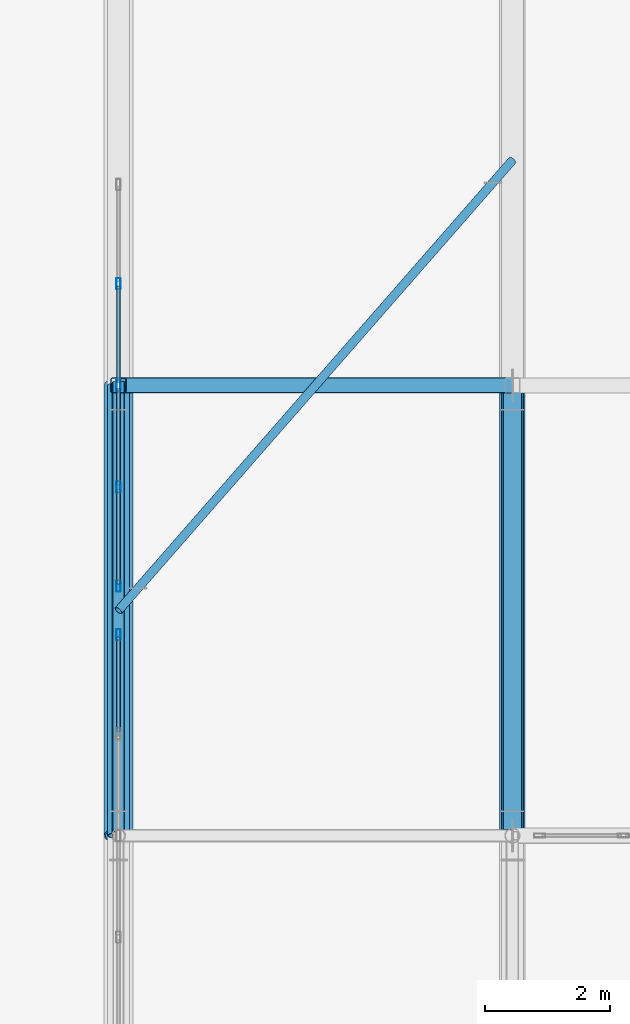
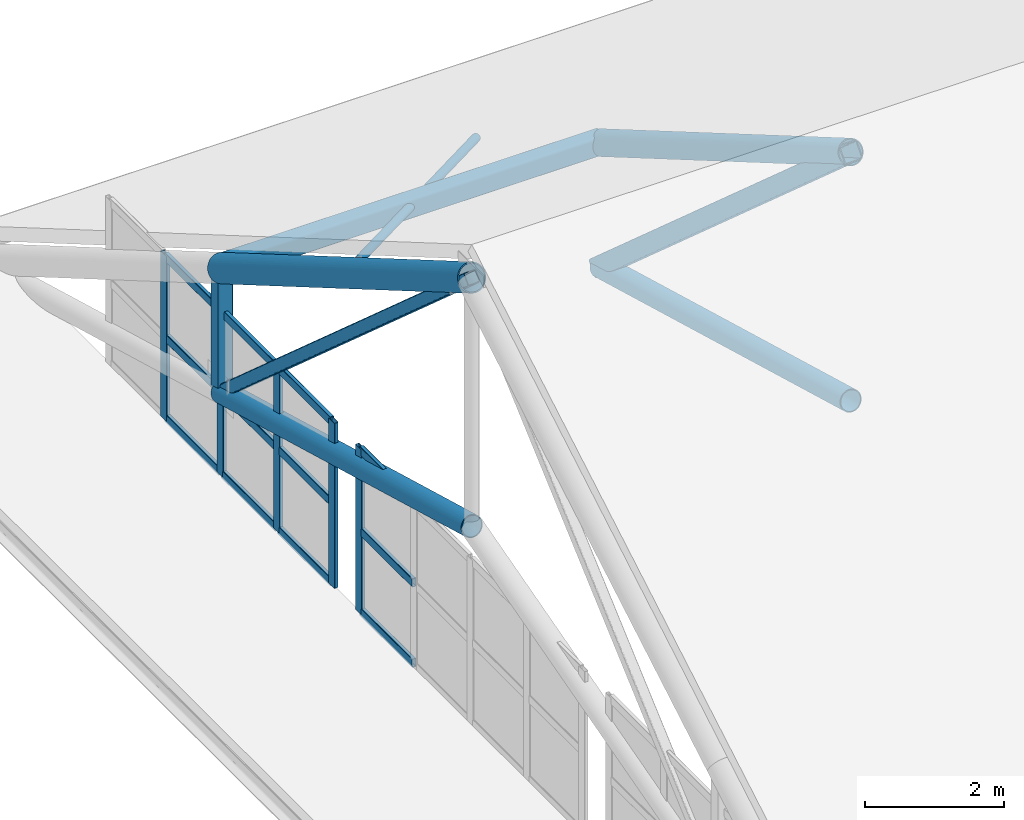
# One storey, part 7 of 54: 26 members, 2 elements without a shape of their own.
"""IFC4 building model written with IfcOpenShell, lengths in metres."""

from ifc_helpers import new_model, si_unit, direction, frame, origin, origin_2d, place, context, subcontext, project, spatial, hollow_rectangle, hollow_circle, extrude, material, layer, layer_set, material_profile, profile_set, type_object, element, aggregate, save


model = new_model("IFC4")

# Units and contexts
model_context = context("Model", 3, precision=1e-05, world=origin(), true_north=direction((0.0, 1.0)))
body_context = subcontext(model_context, "Body", "Model", "MODEL_VIEW")
ifc_project = project(units=[si_unit("LENGTHUNIT", "METRE"), si_unit("AREAUNIT", "SQUARE_METRE"), si_unit("VOLUMEUNIT", "CUBIC_METRE"), si_unit("PLANEANGLEUNIT", "RADIAN"), si_unit("MASSUNIT", "GRAM", prefix="KILO")], contexts=[model_context])

# Site, building, storey
site_placement = place(None, origin())
site = spatial("IfcSite", under=ifc_project, at=site_placement, CompositionType="ELEMENT")
building_placement = place(site_placement, origin())
building = spatial("IfcBuilding", under=site, at=building_placement, Name="Zulmaris Art Gallery", CompositionType="ELEMENT")
storey_placement = place(building_placement, frame((0.0, 0.0, 26.39990234375)))
storey = spatial("IfcBuildingStorey", under=building, at=storey_placement, Name="L05", CompositionType="ELEMENT", Elevation=26.39990234375)

# Curtain wall, member
ifc_material_1 = material(Name="Pitched Roof North-Light Clerestory Wall", Category="aluminium")
ifc_layer = layer(ifc_material_1, 0.179931640625)
ifc_layer_set = layer_set([ifc_layer], Name="Pitched Roof North-Light Clerestory Wall")
curtain_wall_type = type_object("IfcCurtainWallType", Name="CW-CW05", PredefinedType="NOTDEFINED", material=ifc_layer_set)
curtain_wall_1_placement = place(storey_placement, origin())
curtain_wall_1 = element("IfcCurtainWall", 1, at=curtain_wall_1_placement, inside=storey, type_object=curtain_wall_type, Name="L05 curtain wall 39", PredefinedType="NOTDEFINED")
ifc_material_2 = material(Name="Anodised Bronze Aluminium", Category="aluminium")
ifc_material_profile_1 = material_profile(ifc_material_2, hollow_rectangle(XDim=0.06494140625, YDim=0.179931640625, WallThickness=0.00390625, InnerFilletRadius=0.006103515625, OuterFilletRadius=0.010009765625, at=origin_2d()), Name="ALU 65x180x4")
ifc_profile_set_1 = profile_set([ifc_material_profile_1], Name="Anodised Bronze Aluminium")
member_type_1 = type_object("IfcMemberType", Name="CWMUL-01", PredefinedType="MULLION", material=ifc_profile_set_1)
member_1_placement = place(storey_placement, frame((11.39990234375, 39.21240234375, 0.0), z_axis=(0.0, 0.0, 1.0), x_axis=(-1.0, 0.0, 0.0)))
member_1 = element("IfcMember", 2, at=member_1_placement, type_object=member_type_1, Name="CW05 mullion 5", PredefinedType="MULLION", context=body_context, shape_type="SweptSolid", body=[
    extrude(hollow_rectangle(XDim=0.06494140625, YDim=0.179931640625, WallThickness=0.00390625, InnerFilletRadius=0.006103515625, OuterFilletRadius=0.010009765625, at=origin_2d()), origin(), (0.0, 0.0, 1.0), 2.900146484375),
])

# Curtain wall, members
curtain_wall_2_placement = place(storey_placement, origin())
curtain_wall_2 = element("IfcCurtainWall", 3, at=curtain_wall_2_placement, inside=storey, type_object=curtain_wall_type, Name="L05 curtain wall 40", PredefinedType="NOTDEFINED")
member_2_placement = place(storey_placement, frame((11.39990234375, 39.987548828125, 0.0), z_axis=(0.0, 0.0, 1.0), x_axis=(-1.0, 0.0, 0.0)))
member_2 = element("IfcMember", 4, at=member_2_placement, type_object=member_type_1, Name="CW05 mullion 1", PredefinedType="MULLION", context=body_context, shape_type="SweptSolid", body=[
    extrude(hollow_rectangle(XDim=0.06494140625, YDim=0.179931640625, WallThickness=0.00390625, InnerFilletRadius=0.006103515625, OuterFilletRadius=0.010009765625, at=origin_2d()), origin(), (0.0, 0.0, 1.0), 2.900146484375),
])
member_3_placement = place(storey_placement, frame((11.39990234375, 41.574951171875, 0.0), z_axis=(0.0, 0.0, 1.0), x_axis=(-1.0, 0.0, 0.0)))
member_3 = element("IfcMember", 5, at=member_3_placement, type_object=member_type_1, Name="CW05 mullion 2", PredefinedType="MULLION", context=body_context, shape_type="SweptSolid", body=[
    extrude(hollow_rectangle(XDim=0.06494140625, YDim=0.179931640625, WallThickness=0.00390625, InnerFilletRadius=0.006103515625, OuterFilletRadius=0.010009765625, at=origin_2d()), origin(), (0.0, 0.0, 1.0), 2.900146484375),
])
member_4_placement = place(storey_placement, frame((11.39990234375, 43.199951171875, 0.0), z_axis=(0.0, 0.0, 1.0), x_axis=(-1.0, 0.0, 0.0)))
member_4 = element("IfcMember", 6, at=member_4_placement, type_object=member_type_1, Name="CW05 mullion 3", PredefinedType="MULLION", context=body_context, shape_type="SweptSolid", body=[
    extrude(hollow_rectangle(XDim=0.06494140625, YDim=0.179931640625, WallThickness=0.00390625, InnerFilletRadius=0.006103515625, OuterFilletRadius=0.010009765625, at=origin_2d()), origin(), (0.0, 0.0, 1.0), 2.900146484375),
])
member_5_placement = place(storey_placement, frame((11.39990234375, 44.824951171875, 0.0), z_axis=(0.0, 0.0, 1.0), x_axis=(-1.0, 0.0, 0.0)))
member_5 = element("IfcMember", 7, at=member_5_placement, type_object=member_type_1, Name="CW05 mullion 4", PredefinedType="MULLION", context=body_context, shape_type="SweptSolid", body=[
    extrude(hollow_rectangle(XDim=0.06494140625, YDim=0.179931640625, WallThickness=0.00390625, InnerFilletRadius=0.006103515625, OuterFilletRadius=0.010009765625, at=origin_2d()), origin(), (0.0, 0.0, 1.0), 2.900146484375),
])

# Member
ifc_material_profile_2 = material_profile(ifc_material_2, hollow_rectangle(XDim=0.06494140625, YDim=0.14990234375, WallThickness=0.00390625, InnerFilletRadius=0.006103515625, OuterFilletRadius=0.010009765625, at=origin_2d()), Name="ALU 65x150x4")
ifc_profile_set_2 = profile_set([ifc_material_profile_2], Name="Anodised Bronze Aluminium")
member_type_2 = type_object("IfcMemberType", Name="CWTRN-01", PredefinedType="USERDEFINED", material=ifc_profile_set_2)
member_6_placement = place(storey_placement, frame((11.39990234375, 37.66259765625, 0.03759765625), z_axis=(0.0, 1.0, 0.0), x_axis=(-1.0, 0.0, 0.0)))
member_6 = element("IfcMember", 8, at=member_6_placement, type_object=member_type_2, Name="CW05 transom 4.1", ObjectType="TRANSOM", PredefinedType="USERDEFINED", context=body_context, shape_type="SweptSolid", body=[
    extrude(hollow_rectangle(XDim=0.06494140625, YDim=0.14990234375, WallThickness=0.00390625, InnerFilletRadius=0.006103515625, OuterFilletRadius=0.010009765625, at=origin_2d()), origin(), (0.0, 0.0, 1.0), 1.512451171875),
])

member_7_placement = place(storey_placement, frame((11.39990234375, 37.66259765625, 1.4501953125), z_axis=(0.0, 1.0, 0.0), x_axis=(-1.0, 0.0, 0.0)))
member_7 = element("IfcMember", 9, at=member_7_placement, type_object=member_type_2, Name="CW05 transom 4.2", ObjectType="TRANSOM", PredefinedType="USERDEFINED", context=body_context, shape_type="SweptSolid", body=[
    extrude(hollow_rectangle(XDim=0.06494140625, YDim=0.14990234375, WallThickness=0.00390625, InnerFilletRadius=0.006103515625, OuterFilletRadius=0.010009765625, at=origin_2d()), origin(), (0.0, 0.0, 1.0), 1.512451171875),
])

member_8_placement = place(storey_placement, frame((11.39990234375, 37.66259765625, 2.862548828125), z_axis=(0.0, 1.0, 0.0), x_axis=(-1.0, 0.0, 0.0)))
member_8 = element("IfcMember", 10, at=member_8_placement, type_object=member_type_2, Name="CW05 transom 4.3", ObjectType="TRANSOM", PredefinedType="USERDEFINED", context=body_context, shape_type="SweptSolid", body=[
    extrude(hollow_rectangle(XDim=0.06494140625, YDim=0.14990234375, WallThickness=0.00390625, InnerFilletRadius=0.006103515625, OuterFilletRadius=0.010009765625, at=origin_2d()), origin(), (0.0, 0.0, 1.0), 1.512451171875),
])

aggregate(curtain_wall_1, [member_1, member_6, member_7, member_8])

member_9_placement = place(storey_placement, frame((11.39990234375, 40.02490234375, 0.03759765625), z_axis=(0.0, 1.0, 0.0), x_axis=(-1.0, 0.0, 0.0)))
member_9 = element("IfcMember", 11, at=member_9_placement, type_object=member_type_2, Name="CW05 transom 1.1", ObjectType="TRANSOM", PredefinedType="USERDEFINED", context=body_context, shape_type="SweptSolid", body=[
    extrude(hollow_rectangle(XDim=0.06494140625, YDim=0.14990234375, WallThickness=0.00390625, InnerFilletRadius=0.006103515625, OuterFilletRadius=0.010009765625, at=origin_2d()), origin(), (0.0, 0.0, 1.0), 1.5126953125),
])

member_10_placement = place(storey_placement, frame((11.39990234375, 40.02490234375, 1.4501953125), z_axis=(0.0, 1.0, 0.0), x_axis=(-1.0, 0.0, 0.0)))
member_10 = element("IfcMember", 12, at=member_10_placement, type_object=member_type_2, Name="CW05 transom 1.2", ObjectType="TRANSOM", PredefinedType="USERDEFINED", context=body_context, shape_type="SweptSolid", body=[
    extrude(hollow_rectangle(XDim=0.06494140625, YDim=0.14990234375, WallThickness=0.00390625, InnerFilletRadius=0.006103515625, OuterFilletRadius=0.010009765625, at=origin_2d()), origin(), (0.0, 0.0, 1.0), 1.5126953125),
])

member_11_placement = place(storey_placement, frame((11.39990234375, 40.02490234375, 2.862548828125), z_axis=(0.0, 1.0, 0.0), x_axis=(-1.0, 0.0, 0.0)))
member_11 = element("IfcMember", 13, at=member_11_placement, type_object=member_type_2, Name="CW05 transom 1.3", ObjectType="TRANSOM", PredefinedType="USERDEFINED", context=body_context, shape_type="SweptSolid", body=[
    extrude(hollow_rectangle(XDim=0.06494140625, YDim=0.14990234375, WallThickness=0.00390625, InnerFilletRadius=0.006103515625, OuterFilletRadius=0.010009765625, at=origin_2d()), origin(), (0.0, 0.0, 1.0), 1.5126953125),
])

member_12_placement = place(storey_placement, frame((11.39990234375, 41.612548828125, 0.03759765625), z_axis=(0.0, 1.0, 0.0), x_axis=(-1.0, 0.0, 0.0)))
member_12 = element("IfcMember", 14, at=member_12_placement, type_object=member_type_2, Name="CW05 transom 2.1", ObjectType="TRANSOM", PredefinedType="USERDEFINED", context=body_context, shape_type="SweptSolid", body=[
    extrude(hollow_rectangle(XDim=0.06494140625, YDim=0.14990234375, WallThickness=0.00390625, InnerFilletRadius=0.006103515625, OuterFilletRadius=0.010009765625, at=origin_2d()), origin(), (0.0, 0.0, 1.0), 1.550048828125),
])

member_13_placement = place(storey_placement, frame((11.39990234375, 41.612548828125, 1.4501953125), z_axis=(0.0, 1.0, 0.0), x_axis=(-1.0, 0.0, 0.0)))
member_13 = element("IfcMember", 15, at=member_13_placement, type_object=member_type_2, Name="CW05 transom 2.2", ObjectType="TRANSOM", PredefinedType="USERDEFINED", context=body_context, shape_type="SweptSolid", body=[
    extrude(hollow_rectangle(XDim=0.06494140625, YDim=0.14990234375, WallThickness=0.00390625, InnerFilletRadius=0.006103515625, OuterFilletRadius=0.010009765625, at=origin_2d()), origin(), (0.0, 0.0, 1.0), 1.550048828125),
])

member_14_placement = place(storey_placement, frame((11.39990234375, 41.612548828125, 2.862548828125), z_axis=(0.0, 1.0, 0.0), x_axis=(-1.0, 0.0, 0.0)))
member_14 = element("IfcMember", 16, at=member_14_placement, type_object=member_type_2, Name="CW05 transom 2.3", ObjectType="TRANSOM", PredefinedType="USERDEFINED", context=body_context, shape_type="SweptSolid", body=[
    extrude(hollow_rectangle(XDim=0.06494140625, YDim=0.14990234375, WallThickness=0.00390625, InnerFilletRadius=0.006103515625, OuterFilletRadius=0.010009765625, at=origin_2d()), origin(), (0.0, 0.0, 1.0), 1.550048828125),
])

member_15_placement = place(storey_placement, frame((11.39990234375, 43.237548828125, 0.03759765625), z_axis=(0.0, 1.0, 0.0), x_axis=(-1.0, 0.0, 0.0)))
member_15 = element("IfcMember", 17, at=member_15_placement, type_object=member_type_2, Name="CW05 transom 3.1", ObjectType="TRANSOM", PredefinedType="USERDEFINED", context=body_context, shape_type="SweptSolid", body=[
    extrude(hollow_rectangle(XDim=0.06494140625, YDim=0.14990234375, WallThickness=0.00390625, InnerFilletRadius=0.006103515625, OuterFilletRadius=0.010009765625, at=origin_2d()), origin(), (0.0, 0.0, 1.0), 1.550048828125),
])

member_16_placement = place(storey_placement, frame((11.39990234375, 43.237548828125, 1.4501953125), z_axis=(0.0, 1.0, 0.0), x_axis=(-1.0, 0.0, 0.0)))
member_16 = element("IfcMember", 18, at=member_16_placement, type_object=member_type_2, Name="CW05 transom 3.2", ObjectType="TRANSOM", PredefinedType="USERDEFINED", context=body_context, shape_type="SweptSolid", body=[
    extrude(hollow_rectangle(XDim=0.06494140625, YDim=0.14990234375, WallThickness=0.00390625, InnerFilletRadius=0.006103515625, OuterFilletRadius=0.010009765625, at=origin_2d()), origin(), (0.0, 0.0, 1.0), 1.550048828125),
])

member_17_placement = place(storey_placement, frame((11.39990234375, 43.237548828125, 2.862548828125), z_axis=(0.0, 1.0, 0.0), x_axis=(-1.0, 0.0, 0.0)))
member_17 = element("IfcMember", 19, at=member_17_placement, type_object=member_type_2, Name="CW05 transom 3.3", ObjectType="TRANSOM", PredefinedType="USERDEFINED", context=body_context, shape_type="SweptSolid", body=[
    extrude(hollow_rectangle(XDim=0.06494140625, YDim=0.14990234375, WallThickness=0.00390625, InnerFilletRadius=0.006103515625, OuterFilletRadius=0.010009765625, at=origin_2d()), origin(), (0.0, 0.0, 1.0), 1.550048828125),
])

aggregate(curtain_wall_2, [member_2, member_3, member_4, member_5, member_9, member_10, member_11, member_12, member_13, member_14, member_15, member_16, member_17])

# Members
ifc_material_3 = material(Name="Steel S355J2H", Category="steel")
ifc_material_profile_3 = material_profile(ifc_material_3, hollow_circle(Radius=0.06982421875, WallThickness=0.008056640625, at=origin_2d()), Name="CHS 139.7x8")
ifc_profile_set_3 = profile_set([ifc_material_profile_3], Name="Steel S355J2H")
member_type_3 = type_object("IfcMemberType", Name="MEM-BR01", PredefinedType="BRACE", material=ifc_profile_set_3)
member_18_placement = place(storey_placement, frame((11.39990234375, 39.60009765625, 5.72021484375), z_axis=(0.602960929448, 0.689088191062, -0.401989530333), x_axis=(-0.752571952274, 0.658510027752, 0.0)))
element("IfcMember", 20, at=member_18_placement, inside=storey, type_object=member_type_3, Name="Roof wind collector brace 1A", PredefinedType="BRACE", context=body_context, shape_type="SweptSolid", body=[
    extrude(hollow_circle(Radius=0.06982421875, WallThickness=0.008056640625, at=origin_2d()), origin(), (0.0, 0.0, 1.0), 10.448486328125),
])
ifc_material_profile_4 = material_profile(ifc_material_3, hollow_rectangle(XDim=0.25, YDim=0.35009765625, WallThickness=0.01611328125, InnerFilletRadius=0.02392578125, OuterFilletRadius=0.0400390625, at=origin_2d()), Name="RHS 350x250x16")
ifc_profile_set_4 = profile_set([ifc_material_profile_4], Name="Steel S355J2H")
member_type_4 = type_object("IfcMemberType", Name="MEM-PR04", PredefinedType="PURLIN", material=ifc_profile_set_4)
member_19_placement = place(storey_placement, frame((11.39990234375, 43.199951171875, 3.64501953125), z_axis=(1.0, 0.0, 0.0), x_axis=(0.0, 1.0, 0.0)))
element("IfcMember", 21, at=member_19_placement, inside=storey, type_object=member_type_4, Name="Skylight roof purlin bay 1 line 4", PredefinedType="PURLIN", context=body_context, shape_type="SweptSolid", body=[
    extrude(hollow_rectangle(XDim=0.25, YDim=0.35009765625, WallThickness=0.01611328125, InnerFilletRadius=0.02392578125, OuterFilletRadius=0.0400390625, at=origin_2d()), origin(), (0.0, 0.0, 1.0), 6.300048828125),
])
ifc_material_profile_5 = material_profile(ifc_material_3, hollow_rectangle(XDim=0.199951171875, YDim=0.199951171875, WallThickness=0.010009765625, InnerFilletRadius=0.014892578125, OuterFilletRadius=0.02490234375, at=origin_2d()), Name="SHS 200x200x10")
ifc_profile_set_5 = profile_set([ifc_material_profile_5], Name="Steel S355J2H")
member_type_5 = type_object("IfcMemberType", Name="MEM-TB06", PredefinedType="BRACE", material=ifc_profile_set_5)
member_20_placement = place(storey_placement, frame((11.39990234375, 36.0, 7.820068359375), z_axis=(0.0, 0.748961175261, -0.662613883006), x_axis=(-1.0, 0.0, 0.0)))
element("IfcMember", 22, at=member_20_placement, inside=storey, type_object=member_type_5, Name="Pitched gallery truss TR-R01 diagonal 3", PredefinedType="BRACE", context=body_context, shape_type="SweptSolid", body=[
    extrude(hollow_rectangle(XDim=0.199951171875, YDim=0.199951171875, WallThickness=0.010009765625, InnerFilletRadius=0.014892578125, OuterFilletRadius=0.02490234375, at=origin_2d()), origin(), (0.0, 0.0, 1.0), 9.61328125),
])
ifc_material_profile_6 = material_profile(ifc_material_3, hollow_rectangle(XDim=0.300048828125, YDim=0.300048828125, WallThickness=0.01611328125, InnerFilletRadius=0.02392578125, OuterFilletRadius=0.0400390625, at=origin_2d()), Name="SHS 300x300x16")
ifc_profile_set_6 = profile_set([ifc_material_profile_6], Name="Steel S355J2H")
member_type_6 = type_object("IfcMemberType", Name="MEM-TB07", PredefinedType="BRACE", material=ifc_profile_set_6)
member_21_placement = place(storey_placement, frame((17.699951171875, 36.0, 7.820068359375), z_axis=(0.0, 0.748961175261, -0.662613883006), x_axis=(-1.0, 0.0, 0.0)))
element("IfcMember", 23, at=member_21_placement, inside=storey, type_object=member_type_6, Name="Pitched gallery truss TR-R02 diagonal 3", PredefinedType="BRACE", context=body_context, shape_type="SweptSolid", body=[
    extrude(hollow_rectangle(XDim=0.300048828125, YDim=0.300048828125, WallThickness=0.01611328125, InnerFilletRadius=0.02392578125, OuterFilletRadius=0.0400390625, at=origin_2d()), origin(), (0.0, 0.0, 1.0), 9.61328125),
])
ifc_material_profile_7 = material_profile(ifc_material_3, hollow_circle(Radius=0.177734375, WallThickness=0.01611328125, at=origin_2d()), Name="CHS 355.6x16")
ifc_profile_set_7 = profile_set([ifc_material_profile_7], Name="Steel S355J2H")
member_type_7 = type_object("IfcMemberType", Name="MEM-TC01", PredefinedType="CHORD", material=ifc_profile_set_7)
for number, where, z_axis, x_axis, name in (
    (24, (11.39990234375, 36.0, 3.4501953125), (0.0, 0.963517441554, -0.267645548853), (-1.0, 0.0, 0.0), "Pitched gallery truss TR-R01 bottom chord 3"),
    (25, (17.699951171875, 36.0, 3.4501953125), (0.0, 0.963517441554, -0.267645548853), (-1.0, 0.0, 0.0), "Pitched gallery truss TR-R02 bottom chord 3"),
):
    element("IfcMember", number, at=place(storey_placement, frame(where, z_axis=z_axis, x_axis=x_axis)), inside=storey, type_object=member_type_7, Name=name, PredefinedType="CHORD", context=body_context, shape_type="SweptSolid", body=[
        extrude(hollow_circle(Radius=0.177734375, WallThickness=0.01611328125, at=origin_2d()), origin(), (0.0, 0.0, 1.0), 7.47265625),
    ])
ifc_material_profile_8 = material_profile(ifc_material_3, hollow_circle(Radius=0.203125, WallThickness=0.01611328125, at=origin_2d()), Name="CHS 406.4x16")
ifc_profile_set_8 = profile_set([ifc_material_profile_8], Name="Steel S355J2H")
member_type_8 = type_object("IfcMemberType", Name="MEM-TC02", PredefinedType="CHORD", material=ifc_profile_set_8)
member_22_placement = place(storey_placement, frame((17.699951171875, 36.0, 7.820068359375), z_axis=(0.0, 0.863779963214, -0.503869204407), x_axis=(-1.0, 0.0, 0.0)))
element("IfcMember", 26, at=member_22_placement, inside=storey, type_object=member_type_8, Name="Pitched gallery truss TR-R02 top chord 3", PredefinedType="CHORD", context=body_context, shape_type="SweptSolid", body=[
    extrude(hollow_circle(Radius=0.203125, WallThickness=0.01611328125, at=origin_2d()), origin(), (0.0, 0.0, 1.0), 8.33544921875),
])
ifc_material_profile_9 = material_profile(ifc_material_3, hollow_circle(Radius=0.228515625, WallThickness=0.02001953125, at=origin_2d()), Name="CHS 457x20")
ifc_profile_set_9 = profile_set([ifc_material_profile_9], Name="Steel S355J2H")
member_type_9 = type_object("IfcMemberType", Name="MEM-TC03", PredefinedType="CHORD", material=ifc_profile_set_9)
member_23_placement = place(storey_placement, frame((11.39990234375, 36.0, 7.820068359375), z_axis=(0.0, 0.863779963214, -0.503869204407), x_axis=(-1.0, 0.0, 0.0)))
element("IfcMember", 27, at=member_23_placement, inside=storey, type_object=member_type_9, Name="Pitched gallery truss TR-R01 top chord 3", PredefinedType="CHORD", context=body_context, shape_type="SweptSolid", body=[
    extrude(hollow_circle(Radius=0.228515625, WallThickness=0.02001953125, at=origin_2d()), origin(), (0.0, 0.0, 1.0), 8.33544921875),
])
ifc_material_profile_10 = material_profile(ifc_material_3, hollow_rectangle(XDim=0.25, YDim=0.25, WallThickness=0.012451171875, InnerFilletRadius=0.018798828125, OuterFilletRadius=0.03125, at=origin_2d()), Name="SHS 250x250x12.5")
ifc_profile_set_10 = profile_set([ifc_material_profile_10], Name="Steel S355J2H")
member_type_10 = type_object("IfcMemberType", Name="MEM-TP05", PredefinedType="POST", material=ifc_profile_set_10)
member_24_placement = place(storey_placement, frame((11.39990234375, 43.199951171875, 1.4501953125), z_axis=(0.0, 0.0, 1.0), x_axis=(1.0, 0.0, 0.0)))
element("IfcMember", 28, at=member_24_placement, inside=storey, type_object=member_type_10, Name="Pitched gallery truss TR-R01 web post 4", PredefinedType="POST", context=body_context, shape_type="SweptSolid", body=[
    extrude(hollow_rectangle(XDim=0.25, YDim=0.25, WallThickness=0.012451171875, InnerFilletRadius=0.018798828125, OuterFilletRadius=0.03125, at=origin_2d()), origin(), (0.0, 0.0, 1.0), 2.169921875),
])

save(model, "model.ifc")
